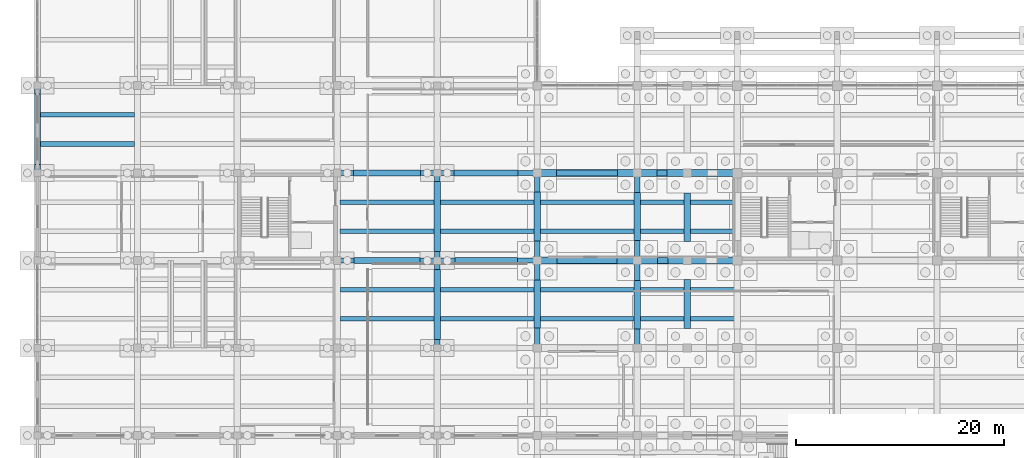
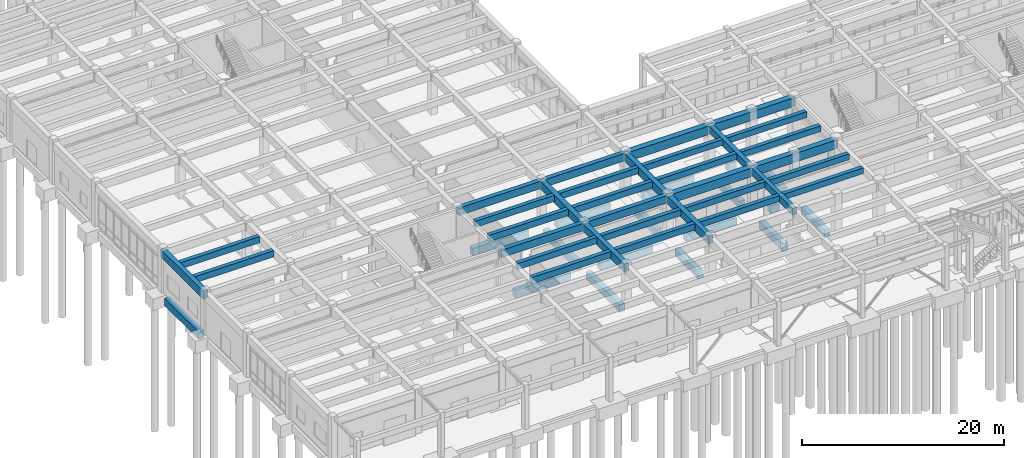
# One storey, part 14 of 102: 50 beams.
"""IFC4 building model written with IfcOpenShell, lengths in metres."""

import ifcopenshell
import ifcopenshell.guid

model = None  # the IFC model being written
_history = None  # IfcOwnerHistory: only IFC2X3 demands one
_inside = {}  # id of a spatial element -> (the spatial element, [elements in it])
_under = {}  # id of a project, library or spatial element -> (it, [spatial elements below it])
_declared = {}  # id of a project -> (the project, [libraries it declares])
_typed = {}  # id of a type object -> (the type object, [elements of that type])
_made_of = {}  # id of a material, layer set ... -> (it, [elements and type objects made of it])


def new_model(schema):
    """Start an empty IFC model of exactly this schema.

    Asked for "IFC4X3", IfcOpenShell would pick the latest addendum, in which some entities
    have other attributes; the version numbers below select the first issue.
    IFC2X3 requires an IfcOwnerHistory on every rooted entity: one is made here for all.
    """
    global model, _history
    if schema == "IFC4X3":
        model = ifcopenshell.file(schema_version=(4, 3, 0, 0))
    else:
        model = ifcopenshell.file(schema=schema)
    _inside.clear()
    _under.clear()
    _declared.clear()
    _typed.clear()
    _made_of.clear()
    _history = None
    if model.schema == "IFC2X3":
        org = make("IfcOrganization", Name="unknown")
        user = make(
            "IfcPersonAndOrganization",
            ThePerson=make("IfcPerson", FamilyName="unknown"),
            TheOrganization=org,
        )
        app = make(
            "IfcApplication",
            ApplicationDeveloper=org,
            Version="unknown",
            ApplicationFullName="unknown",
            ApplicationIdentifier="unknown",
        )
        _history = make(
            "IfcOwnerHistory",
            OwningUser=user,
            OwningApplication=app,
            ChangeAction="ADDED",
            CreationDate=0,
        )
    return model


def make(cls, **values):
    """One entity of the class cls with the attributes given. An attribute that is None is left unset."""
    return model.create_entity(
        cls, **{name: value for name, value in values.items() if value is not None}
    )


def rooted(cls, **values):
    """An entity with a GlobalId (a new one), such as an element, a storey or a relation."""
    return make(cls, GlobalId=ifcopenshell.guid.new(), OwnerHistory=_history, **values)


def si_unit(unit_type, name, prefix=None):
    """IfcSIUnit, for example si_unit("LENGTHUNIT", "METRE", prefix="MILLI")."""
    return make("IfcSIUnit", UnitType=unit_type, Prefix=prefix, Name=name)


def assignment(units):
    """IfcUnitAssignment: the units of a project."""
    return None if units is None else make("IfcUnitAssignment", Units=units)


def point(xyz):
    """IfcCartesianPoint."""
    return None if xyz is None else make("IfcCartesianPoint", Coordinates=xyz)


def direction(xyz):
    """IfcDirection."""
    return None if xyz is None else make("IfcDirection", DirectionRatios=xyz)


def frame(location, z_axis=None, x_axis=None):
    """IfcAxis2Placement3D, a coordinate frame: its origin and axes. An axis left out is left unset."""
    return make(
        "IfcAxis2Placement3D",
        Location=point(location),
        Axis=direction(z_axis),
        RefDirection=direction(x_axis),
    )


def frame_2d(location, x_axis=None):
    """IfcAxis2Placement2D, a coordinate frame in the plane: its origin and x axis."""
    return make(
        "IfcAxis2Placement2D", Location=point(location), RefDirection=direction(x_axis)
    )


def origin():
    """The frame at (0, 0, 0) with its axes left unset."""
    return frame((0.0, 0.0, 0.0))


def origin_2d():
    """The frame at (0, 0) in the plane with its x axis left unset."""
    return frame_2d((0.0, 0.0))


def place(relative_to, where):
    """IfcLocalPlacement: puts the frame where relative to a parent placement (None: the world)."""
    return make(
        "IfcLocalPlacement", PlacementRelTo=relative_to, RelativePlacement=where
    )


def context(
    kind, dimensions, precision=None, world=None, true_north=None, identifier=None
):
    """IfcGeometricRepresentationContext, for example the 3D "Model" context."""
    return make(
        "IfcGeometricRepresentationContext",
        ContextIdentifier=identifier,
        ContextType=kind,
        CoordinateSpaceDimension=dimensions,
        Precision=precision,
        WorldCoordinateSystem=world,
        TrueNorth=true_north,
    )


def subcontext(parent, identifier, kind, view, scale=None):
    """IfcGeometricRepresentationSubContext, for example "Body" below "Model"."""
    return make(
        "IfcGeometricRepresentationSubContext",
        ContextIdentifier=identifier,
        ContextType=kind,
        ParentContext=parent,
        TargetScale=scale,
        TargetView=view,
    )


def project(units=None, contexts=None):
    """IfcProject with its units and contexts."""
    return rooted(
        "IfcProject",
        Name="project",
        RepresentationContexts=contexts,
        UnitsInContext=assignment(units),
    )


def spatial(cls, under=None, at=None, **own):
    """A site, building, storey or space (cls), placed at a placement, below another one or the project."""
    s = rooted(cls, ObjectPlacement=at, **own)
    if under is not None:
        _under.setdefault(under.id(), (under, []))[1].append(s)
    return s


def profile(cls, at=None, kind="AREA", **sizes):
    """A parametric profile (cls). Its sizes go by their IFC names, for example OverallWidth=200.0."""
    return make(cls, ProfileType=kind, Position=at, **sizes)


def rectangle(**sizes):
    """IfcRectangleProfileDef."""
    return profile("IfcRectangleProfileDef", **sizes)


def extrude(swept, where, along, depth):
    """IfcExtrudedAreaSolid: the profile swept, set in the frame where, extruded along a direction by depth."""
    return make(
        "IfcExtrudedAreaSolid",
        SweptArea=swept,
        Position=where,
        ExtrudedDirection=direction(along),
        Depth=depth,
    )


def shape(context_of_items, identifier, shape_type, items):
    """IfcShapeRepresentation: the items that make up one representation, for example the "Body"."""
    return make(
        "IfcShapeRepresentation",
        ContextOfItems=context_of_items,
        RepresentationIdentifier=identifier,
        RepresentationType=shape_type,
        Items=items,
    )


def material(Name=None, Category=None):
    """IfcMaterial."""
    return make("IfcMaterial", Name=Name, Category=Category)


def material_profile(
    of_material, cross_section, Name=None, Category=None, Priority=None
):
    """IfcMaterialProfile: a cross section and its material."""
    return make(
        "IfcMaterialProfile",
        Name=Name,
        Material=of_material,
        Profile=cross_section,
        Priority=Priority,
        Category=Category,
    )


def profile_set(profiles, Name=None, composite=None):
    """IfcMaterialProfileSet."""
    return make(
        "IfcMaterialProfileSet",
        Name=Name,
        MaterialProfiles=profiles,
        CompositeProfile=composite,
    )


def made_of(thing, what):
    """Note that an element or type object is made of a material, layer set ...; save() writes the relation."""
    if what is not None:
        _made_of.setdefault(what.id(), (what, []))[1].append(thing)
    return thing


def type_object(cls, material=None, **own):
    """A type object (cls), such as IfcWallType, which elements share."""
    return made_of(rooted(cls, **own), material)


def element(
    cls,
    number,
    at=None,
    inside=None,
    cuts=None,
    type_object=None,
    material=None,
    context=None,
    identifier="Body",
    shape_type=None,
    held_by="IfcProductDefinitionShape",
    body=None,
    shapes=None,
    **own,
):
    """One element of the class cls, such as IfcWall. Its Tag is "e" and its number.

    at: its placement. inside: the storey or other place that contains it. cuts: it is an
    opening in that element (IfcRelVoidsElement). A single representation is given by context,
    identifier, shape_type and body (its items); several are given by shapes. held_by: the class
    of the entity that holds the representations. save() writes the other relations.
    """
    e = rooted(cls, Tag="e%d" % number, ObjectPlacement=at, **own)
    if body is not None:
        shapes = [shape(context, identifier, shape_type, body)]
    if shapes is not None:
        e.Representation = make(held_by, Representations=shapes)
    if inside is not None:
        _inside.setdefault(inside.id(), (inside, []))[1].append(e)
    if cuts is not None:
        rooted(
            "IfcRelVoidsElement", RelatingBuildingElement=cuts, RelatedOpeningElement=e
        )
    if type_object is not None:
        _typed.setdefault(type_object.id(), (type_object, []))[1].append(e)
    return made_of(e, material)


def aggregate(whole, parts):
    """IfcRelAggregates: a whole, such as a stair, and the parts it consists of."""
    return rooted("IfcRelAggregates", RelatingObject=whole, RelatedObjects=parts)


def save(model, path):
    """Write the relations noted so far, then the file.

    IfcRelAggregates (storeys below a building ...), IfcRelContainedInSpatialStructure (elements
    in a storey), IfcRelDefinesByType, IfcRelAssociatesMaterial and IfcRelDeclares: one each for
    every whole, place, type object, material and project.
    """
    for whole, parts in _under.values():
        aggregate(whole, parts)
    for where, things in _inside.values():
        rooted(
            "IfcRelContainedInSpatialStructure",
            RelatedElements=things,
            RelatingStructure=where,
        )
    for kind, things in _typed.values():
        rooted("IfcRelDefinesByType", RelatedObjects=things, RelatingType=kind)
    for what, things in _made_of.values():
        rooted("IfcRelAssociatesMaterial", RelatedObjects=things, RelatingMaterial=what)
    for by, libraries in _declared.values():
        rooted("IfcRelDeclares", RelatingContext=by, RelatedDefinitions=libraries)
    model.write(path)


model = new_model("IFC4")

# Units and contexts
model_context = context("Model", 3, precision=1e-05, world=origin(), true_north=direction((0.0, 1.0)))
body_context = subcontext(model_context, "Body", "Model", "MODEL_VIEW")
ifc_project = project(units=[si_unit("LENGTHUNIT", "METRE"), si_unit("AREAUNIT", "SQUARE_METRE"), si_unit("VOLUMEUNIT", "CUBIC_METRE"), si_unit("PLANEANGLEUNIT", "RADIAN"), si_unit("MASSUNIT", "GRAM", prefix="KILO")], contexts=[model_context])

# Site, building, storey
site_placement = place(None, origin())
site = spatial("IfcSite", under=ifc_project, at=site_placement, CompositionType="ELEMENT")
building_placement = place(site_placement, origin())
building = spatial("IfcBuilding", under=site, at=building_placement, Name="Kolvemor Railside Polytechnic", CompositionType="ELEMENT")
storey_placement = place(building_placement, origin())
storey = spatial("IfcBuildingStorey", under=building, at=storey_placement, Name="L00", CompositionType="ELEMENT", Elevation=0.0)

# Beams
ifc_material_1 = material(Name="Concrete C40/50", Category="concrete")
ifc_material_profile_1 = material_profile(ifc_material_1, rectangle(XDim=0.550048828125, YDim=0.949951171875, at=origin_2d()), Name="RC550x950")
ifc_profile_set_1 = profile_set([ifc_material_profile_1], Name="Concrete C40/50")
beam_type_1 = type_object("IfcBeamType", Name="BM-RC-GIRD", PredefinedType="BEAM", material=ifc_profile_set_1)
beam_1_placement = place(storey_placement, frame((0.0, 30.0, 4.635009765625), z_axis=(0.0, 1.0, 0.0), x_axis=(-1.0, 0.0, 0.0)))
element("IfcBeam", 1, at=beam_1_placement, inside=storey, type_object=beam_type_1, Name="Primary Girder L01-GY 0054", PredefinedType="BEAM", context=body_context, shape_type="SweptSolid", body=[
    extrude(rectangle(XDim=0.550048828125, YDim=0.949951171875, at=origin_2d()), origin(), (0.0, 0.0, 1.0), 8.39990234375),
])
beam_2_placement = place(storey_placement, frame((38.39990234375, 13.199951171875, 4.635009765625), z_axis=(0.0, 1.0, 0.0), x_axis=(-1.0, 0.0, 0.0)))
element("IfcBeam", 2, at=beam_2_placement, inside=storey, type_object=beam_type_1, Name="Primary Girder L01-GY 0088", PredefinedType="BEAM", context=body_context, shape_type="SweptSolid", body=[
    extrude(rectangle(XDim=0.550048828125, YDim=0.949951171875, at=origin_2d()), origin(), (0.0, 0.0, 1.0), 8.400146484375),
])
beam_3_placement = place(storey_placement, frame((38.39990234375, 21.60009765625, 4.635009765625), z_axis=(0.0, 1.0, 0.0), x_axis=(-1.0, 0.0, 0.0)))
element("IfcBeam", 3, at=beam_3_placement, inside=storey, type_object=beam_type_1, Name="Primary Girder L01-GY 0089", PredefinedType="BEAM", context=body_context, shape_type="SweptSolid", body=[
    extrude(rectangle(XDim=0.550048828125, YDim=0.949951171875, at=origin_2d()), origin(), (0.0, 0.0, 1.0), 8.39990234375),
])
beam_4_placement = place(storey_placement, frame((48.0, 13.199951171875, 4.635009765625), z_axis=(0.0, 1.0, 0.0), x_axis=(-1.0, 0.0, 0.0)))
element("IfcBeam", 4, at=beam_4_placement, inside=storey, type_object=beam_type_1, Name="Primary Girder L01-GY 0097", PredefinedType="BEAM", context=body_context, shape_type="SweptSolid", body=[
    extrude(rectangle(XDim=0.550048828125, YDim=0.949951171875, at=origin_2d()), origin(), (0.0, 0.0, 1.0), 8.400146484375),
])
beam_5_placement = place(storey_placement, frame((48.0, 21.60009765625, 4.635009765625), z_axis=(0.0, 1.0, 0.0), x_axis=(-1.0, 0.0, 0.0)))
element("IfcBeam", 5, at=beam_5_placement, inside=storey, type_object=beam_type_1, Name="Primary Girder L01-GY 0098", PredefinedType="BEAM", context=body_context, shape_type="SweptSolid", body=[
    extrude(rectangle(XDim=0.550048828125, YDim=0.949951171875, at=origin_2d()), origin(), (0.0, 0.0, 1.0), 8.39990234375),
])
ifc_material_2 = material(Name="Concrete C40/50", Category="concrete")
ifc_material_profile_2 = material_profile(ifc_material_2, rectangle(XDim=0.64990234375, YDim=1.050048828125, at=origin_2d()), Name="RC650x1050")
ifc_profile_set_2 = profile_set([ifc_material_profile_2], Name="Concrete C40/50")
beam_type_2 = type_object("IfcBeamType", Name="BM-RC-GIRD2", PredefinedType="BEAM", material=ifc_profile_set_2)
beam_6_placement = place(storey_placement, frame((48.0, 21.60009765625, 4.5849609375), z_axis=(1.0, 0.0, 0.0), x_axis=(0.0, 1.0, 0.0)))
element("IfcBeam", 6, at=beam_6_placement, inside=storey, type_object=beam_type_2, Name="Primary Girder L01-GX 0209", PredefinedType="BEAM", context=body_context, shape_type="SweptSolid", body=[
    extrude(rectangle(XDim=0.64990234375, YDim=1.050048828125, at=origin_2d()), origin(), (0.0, 0.0, 1.0), 9.60009765625),
])
beam_7_placement = place(storey_placement, frame((57.60009765625, 21.60009765625, 4.5849609375), z_axis=(1.0, 0.0, 0.0), x_axis=(0.0, 1.0, 0.0)))
element("IfcBeam", 7, at=beam_7_placement, inside=storey, type_object=beam_type_2, Name="Primary Girder L01-GX 0210", PredefinedType="BEAM", context=body_context, shape_type="SweptSolid", body=[
    extrude(rectangle(XDim=0.64990234375, YDim=1.050048828125, at=origin_2d()), origin(), (0.0, 0.0, 1.0), 9.599853515625),
])
beam_8_placement = place(storey_placement, frame((48.0, 30.0, 4.5849609375), z_axis=(1.0, 0.0, 0.0), x_axis=(0.0, 1.0, 0.0)))
element("IfcBeam", 8, at=beam_8_placement, inside=storey, type_object=beam_type_2, Name="Primary Girder L01-GX 0218", PredefinedType="BEAM", context=body_context, shape_type="SweptSolid", body=[
    extrude(rectangle(XDim=0.64990234375, YDim=1.050048828125, at=origin_2d()), origin(), (0.0, 0.0, 1.0), 9.60009765625),
])
beam_9_placement = place(storey_placement, frame((57.60009765625, 30.0, 4.5849609375), z_axis=(1.0, 0.0, 0.0), x_axis=(0.0, 1.0, 0.0)))
element("IfcBeam", 9, at=beam_9_placement, inside=storey, type_object=beam_type_2, Name="Primary Girder L01-GX 0219", PredefinedType="BEAM", context=body_context, shape_type="SweptSolid", body=[
    extrude(rectangle(XDim=0.64990234375, YDim=1.050048828125, at=origin_2d()), origin(), (0.0, 0.0, 1.0), 9.599853515625),
])
ifc_material_3 = material(Name="Concrete C40/50", Category="concrete")
ifc_material_profile_3 = material_profile(ifc_material_3, rectangle(XDim=0.5, YDim=0.85009765625, at=origin_2d()), Name="RC500x850")
ifc_profile_set_3 = profile_set([ifc_material_profile_3], Name="Concrete C40/50")
beam_type_3 = type_object("IfcBeamType", Name="BM-RC-GIRD3", PredefinedType="BEAM", material=ifc_profile_set_3)
beam_10_placement = place(storey_placement, frame((57.60009765625, 13.199951171875, 4.68505859375), z_axis=(0.0, 1.0, 0.0), x_axis=(-1.0, 0.0, 0.0)))
element("IfcBeam", 10, at=beam_10_placement, inside=storey, type_object=beam_type_3, Name="Primary Girder L01-GY 0237", PredefinedType="BEAM", context=body_context, shape_type="SweptSolid", body=[
    extrude(rectangle(XDim=0.5, YDim=0.85009765625, at=origin_2d()), origin(), (0.0, 0.0, 1.0), 8.400146484375),
])
beam_11_placement = place(storey_placement, frame((57.60009765625, 21.60009765625, 4.68505859375), z_axis=(0.0, 1.0, 0.0), x_axis=(-1.0, 0.0, 0.0)))
element("IfcBeam", 11, at=beam_11_placement, inside=storey, type_object=beam_type_3, Name="Primary Girder L01-GY 0238", PredefinedType="BEAM", context=body_context, shape_type="SweptSolid", body=[
    extrude(rectangle(XDim=0.5, YDim=0.85009765625, at=origin_2d()), origin(), (0.0, 0.0, 1.0), 8.39990234375),
])
ifc_material_4 = material(Name="Concrete C40/50", Category="concrete")
ifc_material_profile_4 = material_profile(ifc_material_4, rectangle(XDim=0.5, YDim=0.89990234375, at=origin_2d()), Name="RC500x900")
ifc_profile_set_4 = profile_set([ifc_material_profile_4], Name="Concrete C40/50")
beam_type_4 = type_object("IfcBeamType", Name="BM-RC-GIRD4", PredefinedType="BEAM", material=ifc_profile_set_4)
beam_12_placement = place(storey_placement, frame((28.800048828125, 21.60009765625, 4.659912109375), z_axis=(1.0, 0.0, 0.0), x_axis=(0.0, 1.0, 0.0)))
element("IfcBeam", 12, at=beam_12_placement, inside=storey, type_object=beam_type_4, Name="Primary Girder L01-GX 0014", PredefinedType="BEAM", context=body_context, shape_type="SweptSolid", body=[
    extrude(rectangle(XDim=0.5, YDim=0.89990234375, at=origin_2d()), origin(), (0.0, 0.0, 1.0), 9.599853515625),
])
beam_13_placement = place(storey_placement, frame((38.39990234375, 21.60009765625, 4.659912109375), z_axis=(1.0, 0.0, 0.0), x_axis=(0.0, 1.0, 0.0)))
element("IfcBeam", 13, at=beam_13_placement, inside=storey, type_object=beam_type_4, Name="Primary Girder L01-GX 0015", PredefinedType="BEAM", context=body_context, shape_type="SweptSolid", body=[
    extrude(rectangle(XDim=0.5, YDim=0.89990234375, at=origin_2d()), origin(), (0.0, 0.0, 1.0), 9.60009765625),
])
beam_14_placement = place(storey_placement, frame((28.800048828125, 30.0, 4.659912109375), z_axis=(1.0, 0.0, 0.0), x_axis=(0.0, 1.0, 0.0)))
element("IfcBeam", 14, at=beam_14_placement, inside=storey, type_object=beam_type_4, Name="Primary Girder L01-GX 0019", PredefinedType="BEAM", context=body_context, shape_type="SweptSolid", body=[
    extrude(rectangle(XDim=0.5, YDim=0.89990234375, at=origin_2d()), origin(), (0.0, 0.0, 1.0), 9.599853515625),
])
beam_15_placement = place(storey_placement, frame((38.39990234375, 30.0, 4.659912109375), z_axis=(1.0, 0.0, 0.0), x_axis=(0.0, 1.0, 0.0)))
element("IfcBeam", 15, at=beam_15_placement, inside=storey, type_object=beam_type_4, Name="Primary Girder L01-GX 0020", PredefinedType="BEAM", context=body_context, shape_type="SweptSolid", body=[
    extrude(rectangle(XDim=0.5, YDim=0.89990234375, at=origin_2d()), origin(), (0.0, 0.0, 1.0), 9.60009765625),
])
ifc_material_5 = material(Name="Concrete C40/50", Category="concrete")
ifc_material_profile_5 = material_profile(ifc_material_5, rectangle(XDim=0.449951171875, YDim=0.75, at=origin_2d()), Name="RC450x750")
ifc_profile_set_5 = profile_set([ifc_material_profile_5], Name="Concrete C40/50")
beam_type_5 = type_object("IfcBeamType", Name="BM-RC-SEC", PredefinedType="JOIST", material=ifc_profile_set_5)
for number, where, z_axis, x_axis, name in (
    (16, (0.27490234375, 32.800048828125, 4.735107421875), (1.0, 0.0, 0.0), (0.0, 1.0, 0.0), "Floor Joist L01-J0111"),
    (17, (0.27490234375, 35.60009765625, 4.735107421875), (1.0, 0.0, 0.0), (0.0, 1.0, 0.0), "Floor Joist L01-J0112"),
    (18, (29.074951171875, 16.0, 4.735107421875), (1.0, 0.0, 0.0), (0.0, 1.0, 0.0), "Floor Joist L01-J0157"),
    (19, (29.074951171875, 18.800048828125, 4.735107421875), (1.0, 0.0, 0.0), (0.0, 1.0, 0.0), "Floor Joist L01-J0158"),
    (20, (29.074951171875, 24.39990234375, 4.735107421875), (1.0, 0.0, 0.0), (0.0, 1.0, 0.0), "Floor Joist L01-J0159"),
    (21, (29.074951171875, 27.199951171875, 4.735107421875), (1.0, 0.0, 0.0), (0.0, 1.0, 0.0), "Floor Joist L01-J0160"),
    (22, (38.675048828125, 16.0, 4.735107421875), (1.0, 0.0, 0.0), (0.0, 1.0, 0.0), "Floor Joist L01-J0175"),
    (23, (38.675048828125, 18.800048828125, 4.735107421875), (1.0, 0.0, 0.0), (0.0, 1.0, 0.0), "Floor Joist L01-J0176"),
    (24, (38.675048828125, 24.39990234375, 4.735107421875), (1.0, 0.0, 0.0), (0.0, 1.0, 0.0), "Floor Joist L01-J0177"),
    (25, (38.675048828125, 27.199951171875, 4.735107421875), (1.0, 0.0, 0.0), (0.0, 1.0, 0.0), "Floor Joist L01-J0178"),
):
    element("IfcBeam", number, at=place(storey_placement, frame(where, z_axis=z_axis, x_axis=x_axis)), inside=storey, type_object=beam_type_5, Name=name, PredefinedType="JOIST", context=body_context, shape_type="SweptSolid", body=[
        extrude(rectangle(XDim=0.449951171875, YDim=0.75, at=origin_2d()), origin(), (0.0, 0.0, 1.0), 9.050048828125),
    ])
ifc_material_6 = material(Name="Concrete C40/50", Category="concrete")
ifc_material_profile_6 = material_profile(ifc_material_6, rectangle(XDim=0.449951171875, YDim=0.699951171875, at=origin_2d()), Name="RC450x700")
ifc_profile_set_6 = profile_set([ifc_material_profile_6], Name="Concrete C40/50")
beam_type_6 = type_object("IfcBeamType", Name="BM-RC-SEC2", PredefinedType="JOIST", material=ifc_profile_set_6)
for number, where, z_axis, x_axis, name in (
    (26, (48.25, 16.0, 4.760009765625), (1.0, 0.0, 0.0), (0.0, 1.0, 0.0), "Floor Joist L01-J0274"),
    (27, (48.25, 18.800048828125, 4.760009765625), (1.0, 0.0, 0.0), (0.0, 1.0, 0.0), "Floor Joist L01-J0275"),
    (28, (48.25, 24.39990234375, 4.760009765625), (1.0, 0.0, 0.0), (0.0, 1.0, 0.0), "Floor Joist L01-J0276"),
    (29, (48.25, 27.199951171875, 4.760009765625), (1.0, 0.0, 0.0), (0.0, 1.0, 0.0), "Floor Joist L01-J0277"),
):
    element("IfcBeam", number, at=place(storey_placement, frame(where, z_axis=z_axis, x_axis=x_axis)), inside=storey, type_object=beam_type_6, Name=name, PredefinedType="JOIST", context=body_context, shape_type="SweptSolid", body=[
        extrude(rectangle(XDim=0.449951171875, YDim=0.699951171875, at=origin_2d()), origin(), (0.0, 0.0, 1.0), 9.10009765625),
    ])
for number, where, z_axis, x_axis, name in (
    (30, (57.85009765625, 16.0, 4.760009765625), (1.0, 0.0, 0.0), (0.0, 1.0, 0.0), "Floor Joist L01-J0282"),
    (31, (57.85009765625, 18.800048828125, 4.760009765625), (1.0, 0.0, 0.0), (0.0, 1.0, 0.0), "Floor Joist L01-J0283"),
    (32, (57.85009765625, 24.39990234375, 4.760009765625), (1.0, 0.0, 0.0), (0.0, 1.0, 0.0), "Floor Joist L01-J0284"),
    (33, (57.85009765625, 27.199951171875, 4.760009765625), (1.0, 0.0, 0.0), (0.0, 1.0, 0.0), "Floor Joist L01-J0285"),
):
    element("IfcBeam", number, at=place(storey_placement, frame(where, z_axis=z_axis, x_axis=x_axis)), inside=storey, type_object=beam_type_6, Name=name, PredefinedType="JOIST", context=body_context, shape_type="SweptSolid", body=[
        extrude(rectangle(XDim=0.449951171875, YDim=0.699951171875, at=origin_2d()), origin(), (0.0, 0.0, 1.0), 9.099853515625),
    ])
ifc_material_7 = material(Name="Concrete C40/50", Category="concrete")
ifc_material_profile_7 = material_profile(ifc_material_7, rectangle(XDim=0.60009765625, YDim=0.89990234375, at=origin_2d()), Name="RC600x900")
ifc_profile_set_7 = profile_set([ifc_material_profile_7], Name="Concrete C40/50")
beam_type_7 = type_object("IfcBeamType", Name="BM-RC-TIE", PredefinedType="BEAM", material=ifc_profile_set_7)
beam_16_placement = place(storey_placement, frame((30.402099609375, 21.60009765625, -0.75), z_axis=(1.0, 0.0, 0.0), x_axis=(0.0, 1.0, 0.0)))
element("IfcBeam", 34, at=beam_16_placement, inside=storey, type_object=beam_type_7, Name="Ground Tie Beam GTB-X068", PredefinedType="BEAM", context=body_context, shape_type="SweptSolid", body=[
    extrude(rectangle(XDim=0.60009765625, YDim=0.89990234375, at=origin_2d()), origin(), (0.0, 0.0, 1.0), 6.32080078125),
])
beam_17_placement = place(storey_placement, frame((40.076904296875, 21.60009765625, -0.75), z_axis=(1.0, 0.0, 0.0), x_axis=(0.0, 1.0, 0.0)))
element("IfcBeam", 35, at=beam_17_placement, inside=storey, type_object=beam_type_7, Name="Ground Tie Beam GTB-X069", PredefinedType="BEAM", context=body_context, shape_type="SweptSolid", body=[
    extrude(rectangle(XDim=0.60009765625, YDim=0.89990234375, at=origin_2d()), origin(), (0.0, 0.0, 1.0), 6.02099609375),
])
beam_18_placement = place(storey_placement, frame((49.902099609375, 21.60009765625, -0.75), z_axis=(1.0, 0.0, 0.0), x_axis=(0.0, 1.0, 0.0)))
element("IfcBeam", 36, at=beam_18_placement, inside=storey, type_object=beam_type_7, Name="Ground Tie Beam GTB-X070", PredefinedType="BEAM", context=body_context, shape_type="SweptSolid", body=[
    extrude(rectangle(XDim=0.60009765625, YDim=0.89990234375, at=origin_2d()), origin(), (0.0, 0.0, 1.0), 5.77099609375),
])
beam_19_placement = place(storey_placement, frame((59.527099609375, 21.60009765625, -0.75), z_axis=(1.0, 0.0, 0.0), x_axis=(0.0, 1.0, 0.0)))
element("IfcBeam", 37, at=beam_19_placement, inside=storey, type_object=beam_type_7, Name="Ground Tie Beam GTB-X071", PredefinedType="BEAM", context=body_context, shape_type="SweptSolid", body=[
    extrude(rectangle(XDim=0.60009765625, YDim=0.89990234375, at=origin_2d()), origin(), (0.0, 0.0, 1.0), 1.0458984375),
])
beam_20_placement = place(storey_placement, frame((30.376953125, 30.0, -0.75), z_axis=(1.0, 0.0, 0.0), x_axis=(0.0, 1.0, 0.0)))
element("IfcBeam", 38, at=beam_20_placement, inside=storey, type_object=beam_type_7, Name="Ground Tie Beam GTB-X089", PredefinedType="BEAM", context=body_context, shape_type="SweptSolid", body=[
    extrude(rectangle(XDim=0.60009765625, YDim=0.89990234375, at=origin_2d()), origin(), (0.0, 0.0, 1.0), 6.421142578125),
])
beam_21_placement = place(storey_placement, frame((40.001953125, 30.0, -0.75), z_axis=(1.0, 0.0, 0.0), x_axis=(0.0, 1.0, 0.0)))
element("IfcBeam", 39, at=beam_21_placement, inside=storey, type_object=beam_type_7, Name="Ground Tie Beam GTB-X090", PredefinedType="BEAM", context=body_context, shape_type="SweptSolid", body=[
    extrude(rectangle(XDim=0.60009765625, YDim=0.89990234375, at=origin_2d()), origin(), (0.0, 0.0, 1.0), 6.14599609375),
])
beam_22_placement = place(storey_placement, frame((49.85205078125, 30.0, -0.75), z_axis=(1.0, 0.0, 0.0), x_axis=(0.0, 1.0, 0.0)))
element("IfcBeam", 40, at=beam_22_placement, inside=storey, type_object=beam_type_7, Name="Ground Tie Beam GTB-X091", PredefinedType="BEAM", context=body_context, shape_type="SweptSolid", body=[
    extrude(rectangle(XDim=0.60009765625, YDim=0.89990234375, at=origin_2d()), origin(), (0.0, 0.0, 1.0), 5.845947265625),
])
beam_23_placement = place(storey_placement, frame((59.501953125, 30.0, -0.75), z_axis=(1.0, 0.0, 0.0), x_axis=(0.0, 1.0, 0.0)))
element("IfcBeam", 41, at=beam_23_placement, inside=storey, type_object=beam_type_7, Name="Ground Tie Beam GTB-X092", PredefinedType="BEAM", context=body_context, shape_type="SweptSolid", body=[
    extrude(rectangle(XDim=0.60009765625, YDim=0.89990234375, at=origin_2d()), origin(), (0.0, 0.0, 1.0), 0.970947265625),
])
beam_24_placement = place(storey_placement, frame((0.0, 30.826904296875, -0.75), z_axis=(0.0, 1.0, 0.0), x_axis=(-1.0, 0.0, 0.0)))
element("IfcBeam", 42, at=beam_24_placement, inside=storey, type_object=beam_type_7, Name="Ground Tie Beam GTB-Y232", PredefinedType="BEAM", context=body_context, shape_type="SweptSolid", body=[
    extrude(rectangle(XDim=0.60009765625, YDim=0.89990234375, at=origin_2d()), origin(), (0.0, 0.0, 1.0), 6.77099609375),
])
beam_25_placement = place(storey_placement, frame((38.39990234375, 14.027099609375, -0.75), z_axis=(0.0, 1.0, 0.0), x_axis=(-1.0, 0.0, 0.0)))
element("IfcBeam", 43, at=beam_25_placement, inside=storey, type_object=beam_type_7, Name="Ground Tie Beam GTB-Y276", PredefinedType="BEAM", context=body_context, shape_type="SweptSolid", body=[
    extrude(rectangle(XDim=0.60009765625, YDim=0.89990234375, at=origin_2d()), origin(), (0.0, 0.0, 1.0), 6.69580078125),
])
beam_26_placement = place(storey_placement, frame((38.39990234375, 22.47705078125, -0.75), z_axis=(0.0, 1.0, 0.0), x_axis=(-1.0, 0.0, 0.0)))
element("IfcBeam", 44, at=beam_26_placement, inside=storey, type_object=beam_type_7, Name="Ground Tie Beam GTB-Y277", PredefinedType="BEAM", context=body_context, shape_type="SweptSolid", body=[
    extrude(rectangle(XDim=0.60009765625, YDim=0.89990234375, at=origin_2d()), origin(), (0.0, 0.0, 1.0), 6.696044921875),
])
beam_27_placement = place(storey_placement, frame((48.0, 15.126953125, -0.75), z_axis=(0.0, 1.0, 0.0), x_axis=(-1.0, 0.0, 0.0)))
element("IfcBeam", 45, at=beam_27_placement, inside=storey, type_object=beam_type_7, Name="Ground Tie Beam GTB-Y289", PredefinedType="BEAM", context=body_context, shape_type="SweptSolid", body=[
    extrude(rectangle(XDim=0.60009765625, YDim=0.89990234375, at=origin_2d()), origin(), (0.0, 0.0, 1.0), 4.62109375),
])
beam_28_placement = place(storey_placement, frame((48.0, 23.451904296875, -0.75), z_axis=(0.0, 1.0, 0.0), x_axis=(-1.0, 0.0, 0.0)))
element("IfcBeam", 46, at=beam_28_placement, inside=storey, type_object=beam_type_7, Name="Ground Tie Beam GTB-Y290", PredefinedType="BEAM", context=body_context, shape_type="SweptSolid", body=[
    extrude(rectangle(XDim=0.60009765625, YDim=0.89990234375, at=origin_2d()), origin(), (0.0, 0.0, 1.0), 4.72119140625),
])
beam_29_placement = place(storey_placement, frame((57.60009765625, 15.027099609375, -0.75), z_axis=(0.0, 1.0, 0.0), x_axis=(-1.0, 0.0, 0.0)))
element("IfcBeam", 47, at=beam_29_placement, inside=storey, type_object=beam_type_7, Name="Ground Tie Beam GTB-Y302", PredefinedType="BEAM", context=body_context, shape_type="SweptSolid", body=[
    extrude(rectangle(XDim=0.60009765625, YDim=0.89990234375, at=origin_2d()), origin(), (0.0, 0.0, 1.0), 4.64599609375),
])
beam_30_placement = place(storey_placement, frame((57.60009765625, 23.527099609375, -0.75), z_axis=(0.0, 1.0, 0.0), x_axis=(-1.0, 0.0, 0.0)))
element("IfcBeam", 48, at=beam_30_placement, inside=storey, type_object=beam_type_7, Name="Ground Tie Beam GTB-Y303", PredefinedType="BEAM", context=body_context, shape_type="SweptSolid", body=[
    extrude(rectangle(XDim=0.60009765625, YDim=0.89990234375, at=origin_2d()), origin(), (0.0, 0.0, 1.0), 4.620849609375),
])
beam_31_placement = place(storey_placement, frame((62.39990234375, 15.076904296875, -0.75), z_axis=(0.0, 1.0, 0.0), x_axis=(-1.0, 0.0, 0.0)))
element("IfcBeam", 49, at=beam_31_placement, inside=storey, type_object=beam_type_7, Name="Ground Tie Beam GTB-Y309", PredefinedType="BEAM", context=body_context, shape_type="SweptSolid", body=[
    extrude(rectangle(XDim=0.60009765625, YDim=0.89990234375, at=origin_2d()), origin(), (0.0, 0.0, 1.0), 4.696044921875),
])
beam_32_placement = place(storey_placement, frame((62.39990234375, 23.427001953125, -0.75), z_axis=(0.0, 1.0, 0.0), x_axis=(-1.0, 0.0, 0.0)))
element("IfcBeam", 50, at=beam_32_placement, inside=storey, type_object=beam_type_7, Name="Ground Tie Beam GTB-Y310", PredefinedType="BEAM", context=body_context, shape_type="SweptSolid", body=[
    extrude(rectangle(XDim=0.60009765625, YDim=0.89990234375, at=origin_2d()), origin(), (0.0, 0.0, 1.0), 4.64599609375),
])

save(model, "model.ifc")
